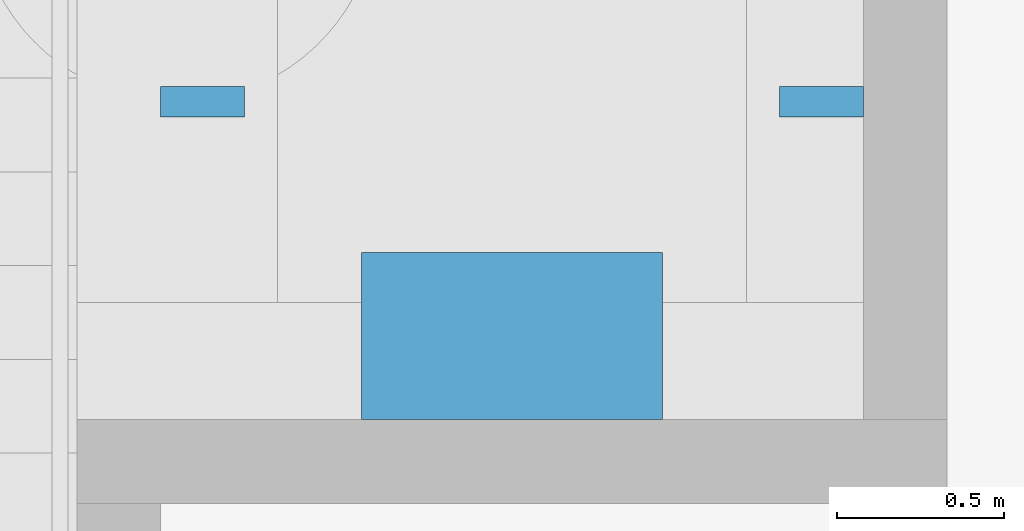
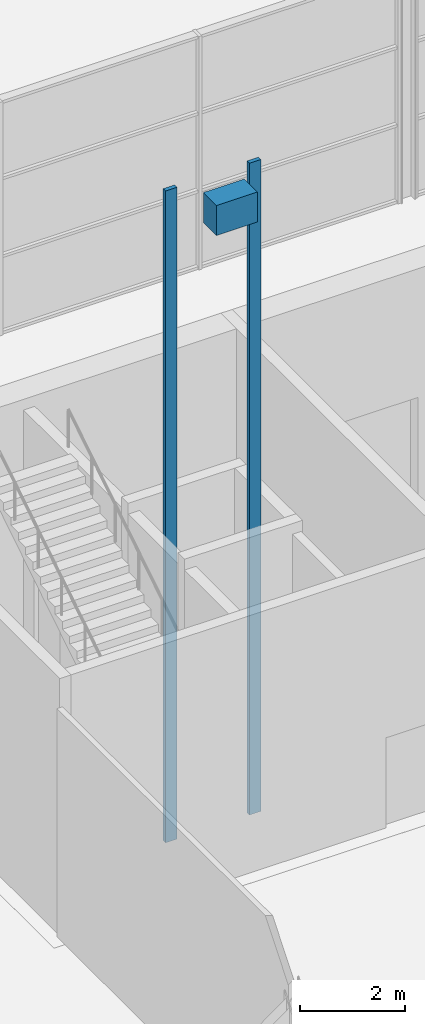
# One storey, part 89 of 97: 3 discrete accessories.
"""IFC4 building model written with IfcOpenShell, lengths in metres."""

from ifc_helpers import new_model, si_unit, direction, frame, origin, origin_2d, place, context, subcontext, project, spatial, rectangle, extrude, material, type_object, element, save


model = new_model("IFC4")

# Units and contexts
model_context = context("Model", 3, precision=1e-05, world=origin(), true_north=direction((0.0, 1.0)))
body_context = subcontext(model_context, "Body", "Model", "MODEL_VIEW")
ifc_project = project(units=[si_unit("LENGTHUNIT", "METRE"), si_unit("AREAUNIT", "SQUARE_METRE"), si_unit("VOLUMEUNIT", "CUBIC_METRE"), si_unit("PLANEANGLEUNIT", "RADIAN"), si_unit("MASSUNIT", "GRAM", prefix="KILO")], contexts=[model_context])

# Site, building, storey
site_placement = place(None, origin())
site = spatial("IfcSite", under=ifc_project, at=site_placement, CompositionType="ELEMENT")
building_placement = place(site_placement, origin())
building = spatial("IfcBuilding", under=site, at=building_placement, Name="Corbel Yard City Hall", CompositionType="ELEMENT")
storey_placement = place(building_placement, origin())
storey = spatial("IfcBuildingStorey", under=building, at=storey_placement, Name="L00", CompositionType="ELEMENT", Elevation=0.0)

# Discrete accessories
ifc_material = material(Name="Steel Grade G250", Category="steel")
discrete_accessory_type_1 = type_object("IfcDiscreteAccessoryType", Name="LM1", PredefinedType="USERDEFINED", material=ifc_material)
discrete_accessory_placement = place(storey_placement, frame((86.35009765625, 74.75, 13.10009765625), z_axis=(0.0, 0.0, 1.0), x_axis=(1.0, 0.0, 0.0)))
element("IfcDiscreteAccessory", 1, at=discrete_accessory_placement, inside=storey, type_object=discrete_accessory_type_1, Name="Lift LP14 drive machine", ObjectType="LIFT MACHINE", PredefinedType="USERDEFINED", context=body_context, shape_type="SweptSolid", body=[
    extrude(rectangle(XDim=0.89990234375, YDim=0.5, at=origin_2d()), origin(), (0.0, 0.0, 1.0), 0.699951171875),
])
discrete_accessory_type_2 = type_object("IfcDiscreteAccessoryType", Name="LR1", PredefinedType="USERDEFINED", material=ifc_material)
for number, where, z_axis, x_axis, name in (
    (2, (85.425048828125, 75.449951171875, -1.39990234375), (0.0, 0.0, 1.0), (1.0, 0.0, 0.0), "Lift LP14 guide rail 1"),
    (3, (87.27490234375, 75.449951171875, -1.39990234375), (0.0, 0.0, 1.0), (1.0, 0.0, 0.0), "Lift LP14 guide rail 2"),
):
    element("IfcDiscreteAccessory", number, at=place(storey_placement, frame(where, z_axis=z_axis, x_axis=x_axis)), inside=storey, type_object=discrete_accessory_type_2, Name=name, ObjectType="GUIDE RAIL", PredefinedType="USERDEFINED", context=body_context, shape_type="SweptSolid", body=[
        extrude(rectangle(XDim=0.25, YDim=0.090087890625, at=origin_2d()), origin(), (0.0, 0.0, 1.0), 15.199951171875),
    ])

save(model, "model.ifc")
